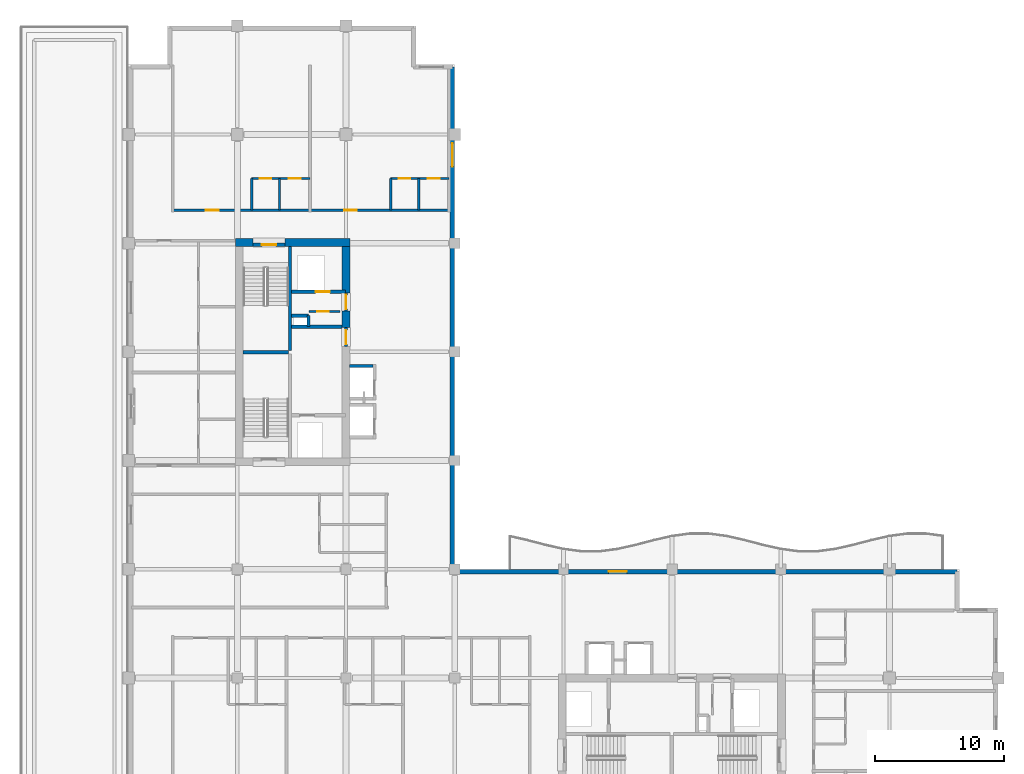
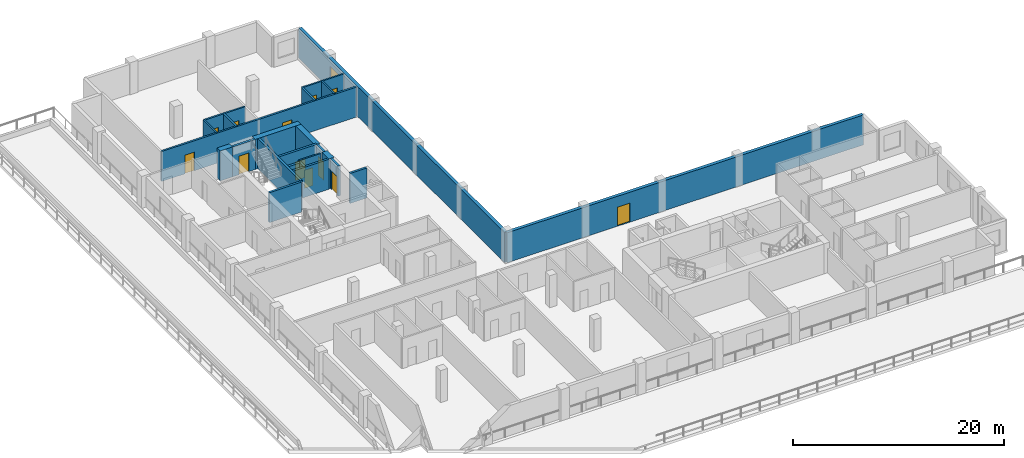
# One storey, part 6 of 13: 24 walls, 12 doors, 1 window, 13 openings.
"""IFC4 building model written with IfcOpenShell, lengths in metres."""

from ifc_helpers import new_model, si_unit, direction, frame, frame_2d, origin, place, context, subcontext, project, spatial, rectangle, extrude, material, layer, layer_set, type_object, element, fill, save


model = new_model("IFC4")

# Units and contexts
model_context = context("Model", 3, precision=1e-05, world=origin(), true_north=direction((0.0, 1.0)))
body_context = subcontext(model_context, "Body", "Model", "MODEL_VIEW")
ifc_project = project(units=[si_unit("LENGTHUNIT", "METRE"), si_unit("AREAUNIT", "SQUARE_METRE"), si_unit("VOLUMEUNIT", "CUBIC_METRE"), si_unit("PLANEANGLEUNIT", "RADIAN"), si_unit("MASSUNIT", "GRAM", prefix="KILO")], contexts=[model_context])

# Site, building, storey
site_placement = place(None, origin())
site = spatial("IfcSite", under=ifc_project, at=site_placement, CompositionType="ELEMENT")
building_placement = place(site_placement, origin())
building = spatial("IfcBuilding", under=site, at=building_placement, Name="Koriwani Terraces Tower", CompositionType="ELEMENT")
storey_placement = place(building_placement, frame((0.0, 0.0, 234.199951171875)))
storey = spatial("IfcBuildingStorey", under=building, at=storey_placement, Name="L57", CompositionType="ELEMENT", Elevation=234.199951171875)

# Walls
ifc_material_1 = material(Name="Concrete C60/75", Category="concrete")
ifc_layer_1 = layer(ifc_material_1, 0.60009765625, Name="Concrete C60/75")
ifc_layer_set_1 = layer_set([ifc_layer_1], Name="Concrete C60/75")
wall_type_1 = type_object("IfcWallType", Name="WALL_CORE_RC_600", PredefinedType="SHEAR", material=ifc_layer_set_1)
wall_1_placement = place(storey_placement, frame((16.64990234375, 58.85009765625, 0.0), z_axis=(0.0, 0.0, 1.0), x_axis=(1.0, 0.0, 0.0)))
element("IfcWall", 1, at=wall_1_placement, inside=storey, type_object=wall_type_1, Name="L57 West Split Core Shear Wall N1", PredefinedType="SHEAR", context=body_context, shape_type="SweptSolid", body=[
    extrude(rectangle(XDim=1.35009765625, YDim=0.60009765625, at=frame_2d((0.675048828125, 0.0))), origin(), (0.0, 0.0, 1.0), 3.469970703125),
])
wall_2_placement = place(storey_placement, frame((20.5, 58.85009765625, 0.0), z_axis=(0.0, 0.0, 1.0), x_axis=(1.0, 0.0, 0.0)))
element("IfcWall", 2, at=wall_2_placement, inside=storey, type_object=wall_type_1, Name="L57 West Split Core Shear Wall N2", PredefinedType="SHEAR", context=body_context, shape_type="SweptSolid", body=[
    extrude(rectangle(XDim=5.0, YDim=0.60009765625, at=frame_2d((2.5, 0.0))), origin(), (0.0, 0.0, 1.0), 3.469970703125),
])
wall_3_placement = place(storey_placement, frame((25.199951171875, 52.280029296875, 0.0), z_axis=(0.0, 0.0, 1.0), x_axis=(0.0, 1.0, 0.0)))
element("IfcWall", 3, at=wall_3_placement, inside=storey, type_object=wall_type_1, Name="L57 West Split Core Shear Wall E2", PredefinedType="SHEAR", context=body_context, shape_type="SweptSolid", body=[
    extrude(rectangle(XDim=1.27001953125, YDim=0.60009765625, at=frame_2d((0.635009765625, 0.0))), origin(), (0.0, 0.0, 1.0), 3.469970703125),
])
wall_4_placement = place(storey_placement, frame((25.199951171875, 54.949951171875, 0.0), z_axis=(0.0, 0.0, 1.0), x_axis=(0.0, 1.0, 0.0)))
element("IfcWall", 4, at=wall_4_placement, inside=storey, type_object=wall_type_1, Name="L57 West Split Core Shear Wall E3", PredefinedType="SHEAR", context=body_context, shape_type="SweptSolid", body=[
    extrude(rectangle(XDim=3.60009765625, YDim=0.60009765625, at=frame_2d((1.800048828125, 0.0))), origin(), (0.0, 0.0, 1.0), 3.469970703125),
])

# Wall, openings, doors
ifc_material_2 = material(Name="Autoclaved Cellular Concrete Blockwork", Category="masonry")
ifc_layer_2 = layer(ifc_material_2, 0.199951171875, Name="Autoclaved Cellular Concrete Blockwork")
ifc_layer_set_2 = layer_set([ifc_layer_2], Name="Autoclaved Cellular Concrete Blockwork")
wall_type_2 = type_object("IfcWallType", Name="WALL_CORRIDOR_200", PredefinedType="PARTITIONING", material=ifc_layer_set_2)
wall_5_placement = place(storey_placement, frame((11.800048828125, 61.35009765625, 0.0), z_axis=(0.0, 0.0, 1.0), x_axis=(1.0, 0.0, 0.0)))
wall_5 = element("IfcWall", 5, at=wall_5_placement, inside=storey, type_object=wall_type_2, Name="L57 Interior Wall WRCOR-L57-NTS-0", PredefinedType="PARTITIONING", context=body_context, shape_type="SweptSolid", body=[
    extrude(rectangle(XDim=21.349853515625, YDim=0.199951171875, at=frame_2d((10.6748046875, 0.0))), origin(), (0.0, 0.0, 1.0), 3.469970703125),
])
opening_1_placement = place(wall_5_placement, frame((2.570068359375, 0.0, 0.0)))
opening_1 = element("IfcOpeningElement", 6, at=opening_1_placement, cuts=wall_5, Name="Opening D-05", PredefinedType="OPENING", context=body_context, shape_type="SweptSolid", body=[
    extrude(rectangle(XDim=1.0, YDim=2.14990234375, at=frame_2d((0.5, 1.074951171875))), frame((0.0, 0.10986328125, 0.0), z_axis=(0.0, -1.0, 0.0), x_axis=(1.0, 0.0, 0.0)), (0.0, 0.0, 1.0), 0.219970703125),
])
opening_2_placement = place(wall_5_placement, frame((13.2451171875, 0.0, 0.0)))
opening_2 = element("IfcOpeningElement", 7, at=opening_2_placement, cuts=wall_5, Name="Opening D-05", PredefinedType="OPENING", context=body_context, shape_type="SweptSolid", body=[
    extrude(rectangle(XDim=1.0, YDim=2.14990234375, at=frame_2d((0.5, 1.074951171875))), frame((0.0, 0.10986328125, 0.0), z_axis=(0.0, -1.0, 0.0), x_axis=(1.0, 0.0, 0.0)), (0.0, 0.0, 1.0), 0.219970703125),
])
ifc_material_3 = material(Name="Architectural Oak Fire Door", Category="wood")
door_type_1 = type_object("IfcDoorType", Name="DOOR_SUITE_ENTRY_1000X2150", OperationType="NOTDEFINED", PredefinedType="DOOR", material=ifc_material_3)
door_1_placement = place(opening_1_placement, origin())
door_1 = element("IfcDoor", 8, at=door_1_placement, inside=storey, type_object=door_type_1, Name="Apartment 57NTS1 Entrance Door", OperationType="SINGLE_SWING_LEFT", OverallHeight=2.14990234375, OverallWidth=1.0, PredefinedType="DOOR", context=body_context, shape_type="SweptSolid", body=[
    extrude(rectangle(XDim=1.0, YDim=2.14990234375, at=frame_2d((0.5, 1.074951171875))), frame((0.0, 0.02490234375, 0.0), z_axis=(0.0, -1.0, 0.0), x_axis=(1.0, 0.0, 0.0)), (0.0, 0.0, 1.0), 0.050048828125),
])
fill(opening_1, door_1)
door_2_placement = place(opening_2_placement, origin())
door_2 = element("IfcDoor", 9, at=door_2_placement, inside=storey, type_object=door_type_1, Name="Apartment 57NTS2 Entrance Door", OperationType="SINGLE_SWING_RIGHT", OverallHeight=2.14990234375, OverallWidth=1.0, PredefinedType="DOOR", context=body_context, shape_type="SweptSolid", body=[
    extrude(rectangle(XDim=1.0, YDim=2.14990234375, at=frame_2d((0.5, 1.074951171875))), frame((0.0, 0.02490234375, 0.0), z_axis=(0.0, -1.0, 0.0), x_axis=(1.0, 0.0, 0.0)), (0.0, 0.0, 1.0), 0.050048828125),
])
fill(opening_2, door_2)

# Wall, opening, window
ifc_material_4 = material(Name="Concrete C50/60", Category="concrete")
ifc_layer_3 = layer(ifc_material_4, 0.35009765625, Name="Concrete C50/60")
ifc_layer_set_3 = layer_set([ifc_layer_3], Name="Concrete C50/60")
wall_type_3 = type_object("IfcWallType", Name="WALL_EXT_BRUTALIST_350", PredefinedType="STANDARD", material=ifc_layer_set_3)
wall_6_placement = place(storey_placement, frame((33.425048828125, 72.425048828125, 0.0), z_axis=(0.0, 0.0, 1.0), x_axis=(0.0, -1.0, 0.0)))
wall_6 = element("IfcWall", 10, at=wall_6_placement, inside=storey, type_object=wall_type_3, Name="L57 Fair-Faced Brutalist Exterior Wall (NW_IN)", PredefinedType="STANDARD", context=body_context, shape_type="SweptSolid", body=[
    extrude(rectangle(XDim=39.0, YDim=0.35009765625, at=frame_2d((19.5, 0.0))), origin(), (0.0, 0.0, 1.0), 3.469970703125),
])
opening_3_placement = place(wall_6_placement, frame((5.89990234375, 0.0, 0.85009765625)))
opening_3 = element("IfcOpeningElement", 11, at=opening_3_placement, cuts=wall_6, Name="Opening W-04", PredefinedType="OPENING", context=body_context, shape_type="SweptSolid", body=[
    extrude(rectangle(XDim=1.800048828125, YDim=1.800048828125, at=frame_2d((0.89990234375, 0.89990234375))), frame((0.0, 0.18505859375, 0.0), z_axis=(0.0, -1.0, 0.0), x_axis=(1.0, 0.0, 0.0)), (0.0, 0.0, 1.0), 0.3701171875),
])
ifc_material_5 = material(Name="Tempered Laminated Low-E Glass", Category="glass")
window_type = type_object("IfcWindowType", Name="WIN_RES_BED_1800X1800", PartitioningType="DOUBLE_PANEL_VERTICAL", PredefinedType="WINDOW", material=ifc_material_5)
window_placement = place(opening_3_placement, origin())
window = element("IfcWindow", 12, at=window_placement, inside=storey, type_object=window_type, Name="L57 Exterior Window (NW_IN-R46)", OverallHeight=1.800048828125, OverallWidth=1.800048828125, PartitioningType="SINGLE_PANEL", PredefinedType="WINDOW", context=body_context, shape_type="SweptSolid", body=[
    extrude(rectangle(XDim=1.800048828125, YDim=1.800048828125, at=frame_2d((0.89990234375, 0.89990234375))), frame((0.0, 0.030029296875, 0.0), z_axis=(0.0, -1.0, 0.0), x_axis=(1.0, 0.0, 0.0)), (0.0, 0.0, 1.0), 0.06005859375),
])
fill(opening_3, window)

# Wall, opening, door
wall_7_placement = place(storey_placement, frame((33.425048828125, 33.425048828125, 0.0), z_axis=(0.0, 0.0, 1.0), x_axis=(1.0, 0.0, 0.0)))
wall_7 = element("IfcWall", 13, at=wall_7_placement, inside=storey, type_object=wall_type_3, Name="L57 Fair-Faced Brutalist Exterior Wall (NE)", PredefinedType="STANDARD", context=body_context, shape_type="SweptSolid", body=[
    extrude(rectangle(XDim=39.0, YDim=0.35009765625, at=frame_2d((19.5, 0.0))), origin(), (0.0, 0.0, 1.0), 3.469970703125),
])
opening_4_placement = place(wall_7_placement, frame((12.074951171875, 0.0, 0.0)))
opening_4 = element("IfcOpeningElement", 14, at=opening_4_placement, cuts=wall_7, Name="Opening D-09", PredefinedType="OPENING", context=body_context, shape_type="SweptSolid", body=[
    extrude(rectangle(XDim=1.39990234375, YDim=2.199951171875, at=frame_2d((0.699951171875, 1.10009765625))), frame((0.0, 0.18505859375, 0.0), z_axis=(0.0, -1.0, 0.0), x_axis=(1.0, 0.0, 0.0)), (0.0, 0.0, 1.0), 0.3701171875),
])
ifc_material_6 = material(Name="Anodised Bronze Aluminium", Category="aluminium")
door_type_2 = type_object("IfcDoorType", Name="DOOR_BALCONY_GLAZED_1400X2200", OperationType="NOTDEFINED", PredefinedType="DOOR", material=ifc_material_6)
door_3_placement = place(opening_4_placement, origin())
door_3 = element("IfcDoor", 15, at=door_3_placement, inside=storey, type_object=door_type_2, Name="L57 Inner Court Balcony Glazed Door", OperationType="SINGLE_SWING_LEFT", OverallHeight=2.199951171875, OverallWidth=1.39990234375, PredefinedType="DOOR", context=body_context, shape_type="SweptSolid", body=[
    extrude(rectangle(XDim=1.39990234375, YDim=2.199951171875, at=frame_2d((0.699951171875, 1.10009765625))), frame((0.0, 0.02490234375, 0.0), z_axis=(0.0, -1.0, 0.0), x_axis=(1.0, 0.0, 0.0)), (0.0, 0.0, 1.0), 0.050048828125),
])
fill(opening_4, door_3)

# Wall, openings, doors
ifc_material_7 = material(Name="Fire-Rated Acoustic Gypsum Partition", Category="masonry")
ifc_layer_4 = layer(ifc_material_7, 0.179931640625, Name="Fire-Rated Acoustic Gypsum Partition")
ifc_layer_set_4 = layer_set([ifc_layer_4], Name="Fire-Rated Acoustic Gypsum Partition")
wall_type_4 = type_object("IfcWallType", Name="WALL_PLUMBING_180", PredefinedType="PLUMBINGWALL", material=ifc_layer_set_4)
wall_8_placement = place(storey_placement, frame((17.89990234375, 63.800048828125, 0.0), z_axis=(0.0, 0.0, 1.0), x_axis=(1.0, 0.0, 0.0)))
wall_8 = element("IfcWall", 16, at=wall_8_placement, inside=storey, type_object=wall_type_4, Name="L57 Interior Wall WRSVC-L57-NTS-0", PredefinedType="PLUMBINGWALL", context=body_context, shape_type="SweptSolid", body=[
    extrude(rectangle(XDim=4.5, YDim=0.179931640625, at=frame_2d((2.25, 0.0))), origin(), (0.0, 0.0, 1.0), 3.469970703125),
])
opening_5_placement = place(wall_8_placement, frame((0.6298828125, 0.0, 0.0)))
opening_5 = element("IfcOpeningElement", 17, at=opening_5_placement, cuts=wall_8, Name="Opening D-07", PredefinedType="OPENING", context=body_context, shape_type="SweptSolid", body=[
    extrude(rectangle(XDim=0.89990234375, YDim=2.10009765625, at=frame_2d((0.449951171875, 1.050048828125))), frame((0.0, 0.10009765625, 0.0), z_axis=(0.0, -1.0, 0.0), x_axis=(1.0, 0.0, 0.0)), (0.0, 0.0, 1.0), 0.199951171875),
])
opening_6_placement = place(wall_8_placement, frame((2.8701171875, 0.0, 0.0)))
opening_6 = element("IfcOpeningElement", 18, at=opening_6_placement, cuts=wall_8, Name="Opening D-06", PredefinedType="OPENING", context=body_context, shape_type="SweptSolid", body=[
    extrude(rectangle(XDim=0.919921875, YDim=2.10009765625, at=frame_2d((0.4599609375, 1.050048828125))), frame((0.0, 0.10009765625, 0.0), z_axis=(0.0, -1.0, 0.0), x_axis=(1.0, 0.0, 0.0)), (0.0, 0.0, 1.0), 0.199951171875),
])
door_type_3 = type_object("IfcDoorType", Name="DOOR_BATH_INT_900X2100", OperationType="NOTDEFINED", PredefinedType="DOOR", material=ifc_material_3)
door_4_placement = place(opening_5_placement, origin())
door_4 = element("IfcDoor", 19, at=door_4_placement, inside=storey, type_object=door_type_3, Name="Apartment 57NTS1 Bathroom Door", OperationType="SINGLE_SWING_RIGHT", OverallHeight=2.10009765625, OverallWidth=0.89990234375, PredefinedType="DOOR", context=body_context, shape_type="SweptSolid", body=[
    extrude(rectangle(XDim=0.89990234375, YDim=2.10009765625, at=frame_2d((0.449951171875, 1.050048828125))), frame((0.0, 0.02490234375, 0.0), z_axis=(0.0, -1.0, 0.0), x_axis=(1.0, 0.0, 0.0)), (0.0, 0.0, 1.0), 0.050048828125),
])
fill(opening_5, door_4)
door_type_4 = type_object("IfcDoorType", Name="DOOR_ROOM_INT_920X2100", OperationType="NOTDEFINED", PredefinedType="DOOR", material=ifc_material_3)
door_5_placement = place(opening_6_placement, origin())
door_5 = element("IfcDoor", 20, at=door_5_placement, inside=storey, type_object=door_type_4, Name="Apartment 57NTS1 Kitchen Door", OperationType="SINGLE_SWING_LEFT", OverallHeight=2.10009765625, OverallWidth=0.919921875, PredefinedType="DOOR", context=body_context, shape_type="SweptSolid", body=[
    extrude(rectangle(XDim=0.919921875, YDim=2.10009765625, at=frame_2d((0.4599609375, 1.050048828125))), frame((0.0, 0.02490234375, 0.0), z_axis=(0.0, -1.0, 0.0), x_axis=(1.0, 0.0, 0.0)), (0.0, 0.0, 1.0), 0.050048828125),
])
fill(opening_6, door_5)

# Walls
for number, where, z_axis, x_axis, name in (
    (21, (17.89990234375, 61.35009765625, 0.0), (0.0, 0.0, 1.0), (0.0, 1.0, 0.0), "L57 Interior Wall WRSVCS-L57-NTS-0"),
    (22, (20.06005859375, 61.35009765625, 0.0), (0.0, 0.0, 1.0), (0.0, 1.0, 0.0), "L57 Interior Wall WRSVCM-L57-NTS-0"),
):
    element("IfcWall", number, at=place(storey_placement, frame(where, z_axis=z_axis, x_axis=x_axis)), inside=storey, type_object=wall_type_4, Name=name, PredefinedType="PLUMBINGWALL", context=body_context, shape_type="SweptSolid", body=[
        extrude(rectangle(XDim=2.449951171875, YDim=0.179931640625, at=frame_2d((1.22509765625, 0.0))), origin(), (0.0, 0.0, 1.0), 3.469970703125),
    ])

# Wall, openings, doors
wall_9_placement = place(storey_placement, frame((28.64990234375, 63.800048828125, 0.0), z_axis=(0.0, 0.0, 1.0), x_axis=(1.0, 0.0, 0.0)))
wall_9 = element("IfcWall", 23, at=wall_9_placement, inside=storey, type_object=wall_type_4, Name="L57 Interior Wall WRSVC-L57-NTS-1", PredefinedType="PLUMBINGWALL", context=body_context, shape_type="SweptSolid", body=[
    extrude(rectangle(XDim=4.5, YDim=0.179931640625, at=frame_2d((2.25, 0.0))), origin(), (0.0, 0.0, 1.0), 3.469970703125),
])
opening_7_placement = place(wall_9_placement, frame((0.6298828125, 0.0, 0.0)))
opening_7 = element("IfcOpeningElement", 24, at=opening_7_placement, cuts=wall_9, Name="Opening D-07", PredefinedType="OPENING", context=body_context, shape_type="SweptSolid", body=[
    extrude(rectangle(XDim=0.89990234375, YDim=2.10009765625, at=frame_2d((0.449951171875, 1.050048828125))), frame((0.0, 0.10009765625, 0.0), z_axis=(0.0, -1.0, 0.0), x_axis=(1.0, 0.0, 0.0)), (0.0, 0.0, 1.0), 0.199951171875),
])
opening_8_placement = place(wall_9_placement, frame((2.8701171875, 0.0, 0.0)))
opening_8 = element("IfcOpeningElement", 25, at=opening_8_placement, cuts=wall_9, Name="Opening D-06", PredefinedType="OPENING", context=body_context, shape_type="SweptSolid", body=[
    extrude(rectangle(XDim=0.919921875, YDim=2.10009765625, at=frame_2d((0.4599609375, 1.050048828125))), frame((0.0, 0.10009765625, 0.0), z_axis=(0.0, -1.0, 0.0), x_axis=(1.0, 0.0, 0.0)), (0.0, 0.0, 1.0), 0.199951171875),
])
door_6_placement = place(opening_7_placement, origin())
door_6 = element("IfcDoor", 26, at=door_6_placement, inside=storey, type_object=door_type_3, Name="Apartment 57NTS2 Bathroom Door", OperationType="SINGLE_SWING_LEFT", OverallHeight=2.10009765625, OverallWidth=0.89990234375, PredefinedType="DOOR", context=body_context, shape_type="SweptSolid", body=[
    extrude(rectangle(XDim=0.89990234375, YDim=2.10009765625, at=frame_2d((0.449951171875, 1.050048828125))), frame((0.0, 0.02490234375, 0.0), z_axis=(0.0, -1.0, 0.0), x_axis=(1.0, 0.0, 0.0)), (0.0, 0.0, 1.0), 0.050048828125),
])
fill(opening_7, door_6)
door_7_placement = place(opening_8_placement, origin())
door_7 = element("IfcDoor", 27, at=door_7_placement, inside=storey, type_object=door_type_4, Name="Apartment 57NTS2 Kitchen Door", OperationType="SINGLE_SWING_RIGHT", OverallHeight=2.10009765625, OverallWidth=0.919921875, PredefinedType="DOOR", context=body_context, shape_type="SweptSolid", body=[
    extrude(rectangle(XDim=0.919921875, YDim=2.10009765625, at=frame_2d((0.4599609375, 1.050048828125))), frame((0.0, 0.02490234375, 0.0), z_axis=(0.0, -1.0, 0.0), x_axis=(1.0, 0.0, 0.0)), (0.0, 0.0, 1.0), 0.050048828125),
])
fill(opening_8, door_7)

# Walls
for number, where, z_axis, x_axis, name in (
    (28, (28.64990234375, 61.35009765625, 0.0), (0.0, 0.0, 1.0), (0.0, 1.0, 0.0), "L57 Interior Wall WRSVCS-L57-NTS-1"),
    (29, (30.81005859375, 61.35009765625, 0.0), (0.0, 0.0, 1.0), (0.0, 1.0, 0.0), "L57 Interior Wall WRSVCM-L57-NTS-1"),
):
    element("IfcWall", number, at=place(storey_placement, frame(where, z_axis=z_axis, x_axis=x_axis)), inside=storey, type_object=wall_type_4, Name=name, PredefinedType="PLUMBINGWALL", context=body_context, shape_type="SweptSolid", body=[
        extrude(rectangle(XDim=2.449951171875, YDim=0.179931640625, at=frame_2d((1.22509765625, 0.0))), origin(), (0.0, 0.0, 1.0), 3.469970703125),
    ])
ifc_material_8 = material(Name="Concrete C40/50", Category="concrete")
ifc_layer_5 = layer(ifc_material_8, 0.25, Name="Concrete C40/50")
ifc_layer_set_5 = layer_set([ifc_layer_5], Name="Concrete C40/50")
wall_type_5 = type_object("IfcWallType", Name="WALL_SHAFT_RATED_250", PredefinedType="SOLIDWALL", material=ifc_layer_set_5)
wall_10_placement = place(storey_placement, frame((20.875, 50.5, 0.0), z_axis=(0.0, 0.0, 1.0), x_axis=(0.0, 1.0, 0.0)))
element("IfcWall", 30, at=wall_10_placement, inside=storey, type_object=wall_type_5, Name="L57 West Split Core Web Wall MID2", PredefinedType="SOLIDWALL", context=body_context, shape_type="SweptSolid", body=[
    extrude(rectangle(XDim=8.050048828125, YDim=0.25, at=frame_2d((4.02490234375, 0.0))), origin(), (0.0, 0.0, 1.0), 3.469970703125),
])
wall_11_placement = place(storey_placement, frame((17.25, 50.375, 0.0), z_axis=(0.0, 0.0, 1.0), x_axis=(1.0, 0.0, 0.0)))
element("IfcWall", 31, at=wall_11_placement, inside=storey, type_object=wall_type_5, Name="L57 West Split Core Stair Dividing Wall", PredefinedType="SOLIDWALL", context=body_context, shape_type="SweptSolid", body=[
    extrude(rectangle(XDim=3.5, YDim=0.25, at=frame_2d((1.75, 0.0))), origin(), (0.0, 0.0, 1.0), 3.469970703125),
])

# Wall, opening, door
wall_12_placement = place(storey_placement, frame((18.0, 58.675048828125, 0.0), z_axis=(0.0, 0.0, 1.0), x_axis=(1.0, 0.0, 0.0)))
wall_12 = element("IfcWall", 32, at=wall_12_placement, inside=storey, type_object=wall_type_5, Name="L57 Interior Wall WIN-CW-L57-STN", PredefinedType="SOLIDWALL", context=body_context, shape_type="SweptSolid", body=[
    extrude(rectangle(XDim=2.5, YDim=0.25, at=frame_2d((1.25, 0.0))), origin(), (0.0, 0.0, 1.0), 3.469970703125),
])
opening_9_placement = place(wall_12_placement, frame((0.699951171875, 0.0, 0.0)))
opening_9 = element("IfcOpeningElement", 33, at=opening_9_placement, cuts=wall_12, Name="Opening D-03", PredefinedType="OPENING", context=body_context, shape_type="SweptSolid", body=[
    extrude(rectangle(XDim=1.10009765625, YDim=2.14990234375, at=frame_2d((0.550048828125, 1.074951171875))), frame((0.0, 0.135009765625, 0.0), z_axis=(0.0, -1.0, 0.0), x_axis=(1.0, 0.0, 0.0)), (0.0, 0.0, 1.0), 0.27001953125),
])
ifc_material_9 = material(Name="Steel ASTM A572 Grade 50", Category="steel")
door_type_5 = type_object("IfcDoorType", Name="DOOR_STAIR_FIRE_1100X2150", OperationType="NOTDEFINED", PredefinedType="DOOR", material=ifc_material_9)
door_8_placement = place(opening_9_placement, origin())
door_8 = element("IfcDoor", 34, at=door_8_placement, inside=storey, type_object=door_type_5, Name="L57 Exit Stair ST-W2 Door", OperationType="SINGLE_SWING_RIGHT", OverallHeight=2.14990234375, OverallWidth=1.10009765625, PredefinedType="DOOR", context=body_context, shape_type="SweptSolid", body=[
    extrude(rectangle(XDim=1.10009765625, YDim=2.14990234375, at=frame_2d((0.550048828125, 1.074951171875))), frame((0.0, 0.02490234375, 0.0), z_axis=(0.0, -1.0, 0.0), x_axis=(1.0, 0.0, 0.0)), (0.0, 0.0, 1.0), 0.050048828125),
])
fill(opening_9, door_8)

wall_13_placement = place(storey_placement, frame((25.199951171875, 50.800048828125, 0.0), z_axis=(0.0, 0.0, 1.0), x_axis=(0.0, 1.0, 0.0)))
wall_13 = element("IfcWall", 35, at=wall_13_placement, inside=storey, type_object=wall_type_5, Name="L57 Interior Wall WIN-CW-L57-EP", PredefinedType="SOLIDWALL", context=body_context, shape_type="SweptSolid", body=[
    extrude(rectangle(XDim=1.47998046875, YDim=0.25, at=frame_2d((0.739990234375, 0.0))), origin(), (0.0, 0.0, 1.0), 3.469970703125),
])
opening_10_placement = place(wall_13_placement, frame((0.179931640625, 0.0, 0.0)))
opening_10 = element("IfcOpeningElement", 36, at=opening_10_placement, cuts=wall_13, Name="Opening D-03", PredefinedType="OPENING", context=body_context, shape_type="SweptSolid", body=[
    extrude(rectangle(XDim=1.10009765625, YDim=2.14990234375, at=frame_2d((0.550048828125, 1.074951171875))), frame((0.0, 0.135009765625, 0.0), z_axis=(0.0, -1.0, 0.0), x_axis=(1.0, 0.0, 0.0)), (0.0, 0.0, 1.0), 0.27001953125),
])
door_9_placement = place(opening_10_placement, origin())
door_9 = element("IfcDoor", 37, at=door_9_placement, inside=storey, type_object=door_type_5, Name="L57 West Firefighting Lobby Door", OperationType="SINGLE_SWING_LEFT", OverallHeight=2.14990234375, OverallWidth=1.10009765625, PredefinedType="DOOR", context=body_context, shape_type="SweptSolid", body=[
    extrude(rectangle(XDim=1.10009765625, YDim=2.14990234375, at=frame_2d((0.550048828125, 1.074951171875))), frame((0.0, 0.02490234375, 0.0), z_axis=(0.0, -1.0, 0.0), x_axis=(1.0, 0.0, 0.0)), (0.0, 0.0, 1.0), 0.050048828125),
])
fill(opening_10, door_9)

# Wall
wall_14_placement = place(storey_placement, frame((21.0, 52.340087890625, 0.0), z_axis=(0.0, 0.0, 1.0), x_axis=(1.0, 0.0, 0.0)))
element("IfcWall", 38, at=wall_14_placement, inside=storey, type_object=wall_type_5, Name="L57 Interior Wall WIN-CW-L57-FFN", PredefinedType="SOLIDWALL", context=body_context, shape_type="SweptSolid", body=[
    extrude(rectangle(XDim=3.89990234375, YDim=0.25, at=frame_2d((1.949951171875, 0.0))), origin(), (0.0, 0.0, 1.0), 3.469970703125),
])

# Wall, opening, door
wall_15_placement = place(storey_placement, frame((21.0, 55.050048828125, 0.0), z_axis=(0.0, 0.0, 1.0), x_axis=(1.0, 0.0, 0.0)))
wall_15 = element("IfcWall", 39, at=wall_15_placement, inside=storey, type_object=wall_type_5, Name="L57 Interior Wall WIN-CW-L57-SE", PredefinedType="SOLIDWALL", context=body_context, shape_type="SweptSolid", body=[
    extrude(rectangle(XDim=4.14990234375, YDim=0.25, at=frame_2d((2.074951171875, 0.0))), origin(), (0.0, 0.0, 1.0), 3.469970703125),
])
opening_11_placement = place(wall_15_placement, frame((1.85009765625, 0.0, 0.0)))
opening_11 = element("IfcOpeningElement", 40, at=opening_11_placement, cuts=wall_15, Name="Opening LD-01", PredefinedType="OPENING", context=body_context, shape_type="SweptSolid", body=[
    extrude(rectangle(XDim=1.10009765625, YDim=2.14990234375, at=frame_2d((0.550048828125, 1.074951171875))), frame((0.0, 0.135009765625, 0.0), z_axis=(0.0, -1.0, 0.0), x_axis=(1.0, 0.0, 0.0)), (0.0, 0.0, 1.0), 0.27001953125),
])
door_type_6 = type_object("IfcDoorType", Name="DOOR_LIFT_LANDING_1100X2200", OperationType="NOTDEFINED", PredefinedType="DOOR", material=ifc_material_9)
door_10_placement = place(opening_11_placement, origin())
door_10 = element("IfcDoor", 41, at=door_10_placement, inside=storey, type_object=door_type_6, Name="L57 Goods Lift SE-01 Landing Door", OperationType="SLIDING_TO_LEFT", OverallHeight=2.14990234375, OverallWidth=1.10009765625, PredefinedType="DOOR", context=body_context, shape_type="SweptSolid", body=[
    extrude(rectangle(XDim=1.10009765625, YDim=2.14990234375, at=frame_2d((0.550048828125, 1.074951171875))), frame((0.0, 0.02490234375, 0.0), z_axis=(0.0, -1.0, 0.0), x_axis=(1.0, 0.0, 0.0)), (0.0, 0.0, 1.0), 0.050048828125),
])
fill(opening_11, door_10)

wall_16_placement = place(storey_placement, frame((25.199951171875, 53.550048828125, 0.0), z_axis=(0.0, 0.0, 1.0), x_axis=(0.0, 1.0, 0.0)))
wall_16 = element("IfcWall", 42, at=wall_16_placement, inside=storey, type_object=wall_type_5, Name="L57 Interior Wall WIN-CW-L57-EP2", PredefinedType="SOLIDWALL", context=body_context, shape_type="SweptSolid", body=[
    extrude(rectangle(XDim=1.39990234375, YDim=0.25, at=frame_2d((0.699951171875, 0.0))), origin(), (0.0, 0.0, 1.0), 3.469970703125),
])
opening_12_placement = place(wall_16_placement, frame((0.14990234375, 0.0, 0.0)))
opening_12 = element("IfcOpeningElement", 43, at=opening_12_placement, cuts=wall_16, Name="Opening D-03", PredefinedType="OPENING", context=body_context, shape_type="SweptSolid", body=[
    extrude(rectangle(XDim=1.10009765625, YDim=2.14990234375, at=frame_2d((0.550048828125, 1.074951171875))), frame((0.0, 0.135009765625, 0.0), z_axis=(0.0, -1.0, 0.0), x_axis=(1.0, 0.0, 0.0)), (0.0, 0.0, 1.0), 0.27001953125),
])
door_11_placement = place(opening_12_placement, origin())
door_11 = element("IfcDoor", 44, at=door_11_placement, inside=storey, type_object=door_type_5, Name="L57 West Goods Lift Lobby Door", OperationType="SINGLE_SWING_RIGHT", OverallHeight=2.14990234375, OverallWidth=1.10009765625, PredefinedType="DOOR", context=body_context, shape_type="SweptSolid", body=[
    extrude(rectangle(XDim=1.10009765625, YDim=2.14990234375, at=frame_2d((0.550048828125, 1.074951171875))), frame((0.0, 0.02490234375, 0.0), z_axis=(0.0, -1.0, 0.0), x_axis=(1.0, 0.0, 0.0)), (0.0, 0.0, 1.0), 0.050048828125),
])
fill(opening_12, door_11)

# Walls
wall_17_placement = place(storey_placement, frame((21.0, 53.199951171875, 0.0), z_axis=(0.0, 0.0, 1.0), x_axis=(1.0, 0.0, 0.0)))
element("IfcWall", 45, at=wall_17_placement, inside=storey, type_object=wall_type_5, Name="L57 Interior Wall WIN-CW-L57-RS1", PredefinedType="SOLIDWALL", context=body_context, shape_type="SweptSolid", body=[
    extrude(rectangle(XDim=1.300048828125, YDim=0.25, at=frame_2d((0.64990234375, 0.0))), origin(), (0.0, 0.0, 1.0), 3.469970703125),
])
wall_18_placement = place(storey_placement, frame((22.300048828125, 52.360107421875, 0.0), z_axis=(0.0, 0.0, 1.0), x_axis=(0.0, 1.0, 0.0)))
element("IfcWall", 46, at=wall_18_placement, inside=storey, type_object=wall_type_5, Name="L57 Interior Wall WIN-CW-L57-RS2", PredefinedType="SOLIDWALL", context=body_context, shape_type="SweptSolid", body=[
    extrude(rectangle(XDim=0.83984375, YDim=0.25, at=frame_2d((0.419921875, 0.0))), origin(), (0.0, 0.0, 1.0), 3.469970703125),
])
wall_19_placement = place(storey_placement, frame((25.449951171875, 49.300048828125, 0.0), z_axis=(0.0, 0.0, 1.0), x_axis=(1.0, 0.0, 0.0)))
element("IfcWall", 47, at=wall_19_placement, inside=storey, type_object=wall_type_5, Name="L57 Interior Wall WIN-LF-PE-H2-L57-N", PredefinedType="SOLIDWALL", context=body_context, shape_type="SweptSolid", body=[
    extrude(rectangle(XDim=1.824951171875, YDim=0.25, at=frame_2d((0.91259765625, 0.0))), origin(), (0.0, 0.0, 1.0), 3.469970703125),
])

# Wall, opening, door
ifc_layer_6 = layer(ifc_material_7, 0.159912109375, Name="Fire-Rated Acoustic Gypsum Partition")
ifc_layer_set_6 = layer_set([ifc_layer_6], Name="Fire-Rated Acoustic Gypsum Partition")
wall_type_6 = type_object("IfcWallType", Name="WALL_SUITE_160", PredefinedType="PARTITIONING", material=ifc_layer_set_6)
wall_20_placement = place(storey_placement, frame((22.320068359375, 53.52001953125, 0.0), z_axis=(0.0, 0.0, 1.0), x_axis=(1.0, 0.0, 0.0)))
wall_20 = element("IfcWall", 48, at=wall_20_placement, inside=storey, type_object=wall_type_6, Name="L57 Interior Wall WIN-CW-L57-SV0", PredefinedType="PARTITIONING", context=body_context, shape_type="SweptSolid", body=[
    extrude(rectangle(XDim=2.39990234375, YDim=0.159912109375, at=frame_2d((1.199951171875, 0.0))), origin(), (0.0, 0.0, 1.0), 3.469970703125),
])
opening_13_placement = place(wall_20_placement, frame((0.64990234375, 0.0, 0.0)))
opening_13 = element("IfcOpeningElement", 49, at=opening_13_placement, cuts=wall_20, Name="Opening D-07", PredefinedType="OPENING", context=body_context, shape_type="SweptSolid", body=[
    extrude(rectangle(XDim=0.89990234375, YDim=2.10009765625, at=frame_2d((0.449951171875, 1.050048828125))), frame((0.0, 0.08984375, 0.0), z_axis=(0.0, -1.0, 0.0), x_axis=(1.0, 0.0, 0.0)), (0.0, 0.0, 1.0), 0.179931640625),
])
door_12_placement = place(opening_13_placement, origin())
door_12 = element("IfcDoor", 50, at=door_12_placement, inside=storey, type_object=door_type_3, Name="L57 West Electrical Switch Room Door", OperationType="SINGLE_SWING_LEFT", OverallHeight=2.10009765625, OverallWidth=0.89990234375, PredefinedType="DOOR", context=body_context, shape_type="SweptSolid", body=[
    extrude(rectangle(XDim=0.89990234375, YDim=2.10009765625, at=frame_2d((0.449951171875, 1.050048828125))), frame((0.0, 0.02490234375, 0.0), z_axis=(0.0, -1.0, 0.0), x_axis=(1.0, 0.0, 0.0)), (0.0, 0.0, 1.0), 0.050048828125),
])
fill(opening_13, door_12)

save(model, "model.ifc")
